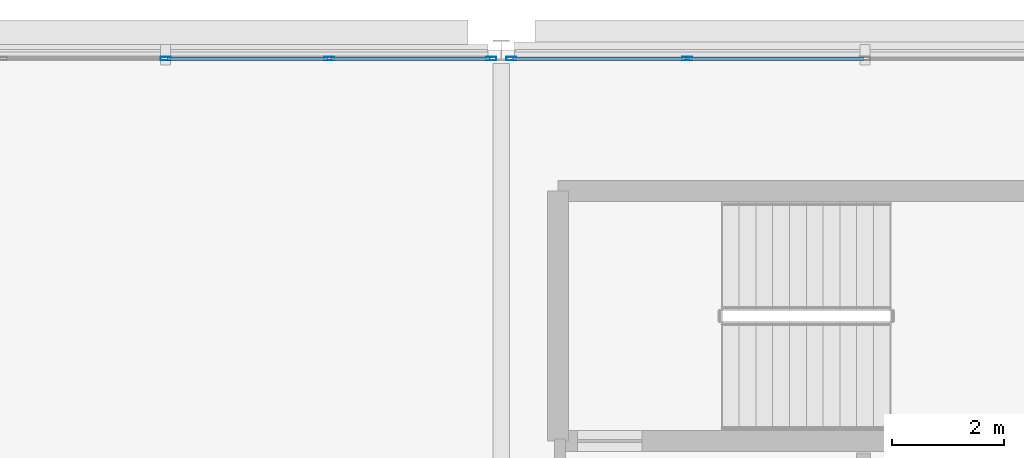
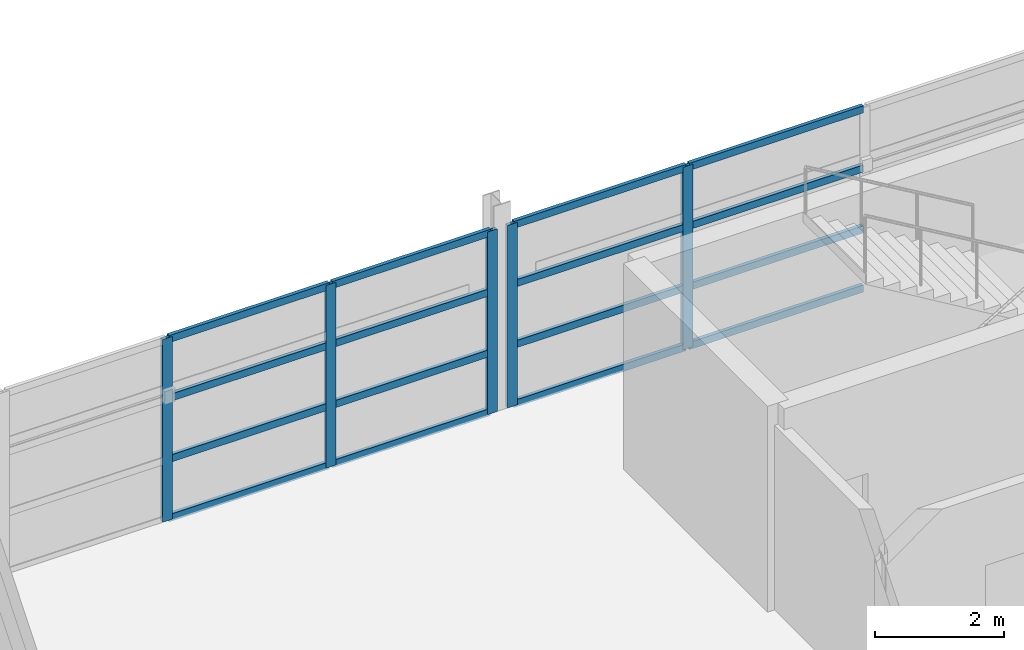
# One storey, part 19 of 33: 21 members, 2 elements without a shape of their own.
"""IFC4 building model written with IfcOpenShell, lengths in metres."""

from ifc_helpers import new_model, si_unit, direction, frame, origin, origin_2d, place, context, subcontext, project, spatial, hollow_rectangle, extrude, material, layer, layer_set, material_profile, profile_set, type_object, element, aggregate, save


model = new_model("IFC4")

# Units and contexts
model_context = context("Model", 3, precision=1e-05, world=origin(), true_north=direction((0.0, 1.0)))
body_context = subcontext(model_context, "Body", "Model", "MODEL_VIEW")
ifc_project = project(units=[si_unit("LENGTHUNIT", "METRE"), si_unit("AREAUNIT", "SQUARE_METRE"), si_unit("VOLUMEUNIT", "CUBIC_METRE"), si_unit("PLANEANGLEUNIT", "RADIAN"), si_unit("MASSUNIT", "GRAM", prefix="KILO")], contexts=[model_context])

# Site, building, storey
site_placement = place(None, origin())
site = spatial("IfcSite", under=ifc_project, at=site_placement, CompositionType="ELEMENT")
building_placement = place(site_placement, origin())
building = spatial("IfcBuilding", under=site, at=building_placement, Name="Tamarisk Ironworks Central Station", CompositionType="ELEMENT")
storey_placement = place(building_placement, frame((0.0, 0.0, 21.300048828125)))
storey = spatial("IfcBuildingStorey", under=building, at=storey_placement, Name="L04", CompositionType="ELEMENT", Elevation=21.300048828125)

# Curtain wall, members
ifc_material = material(Name="Anodized aluminium alloy 6063-T6", Category="aluminium")
ifc_layer = layer(ifc_material, 0.179931640625)
ifc_layer_set = layer_set([ifc_layer], Name="Anodized aluminium alloy 6063-T6")
curtain_wall_type = type_object("IfcCurtainWallType", Name="CW-19", PredefinedType="USERDEFINED", material=ifc_layer_set)
curtain_wall_1_placement = place(storey_placement, origin())
curtain_wall_1 = element("IfcCurtainWall", 1, at=curtain_wall_1_placement, inside=storey, type_object=curtain_wall_type, Name="Operations L04 north facade curtain wall 128", ObjectType="GLAZED CURTAIN WALL", PredefinedType="USERDEFINED")
ifc_material_profile_1 = material_profile(ifc_material, hollow_rectangle(XDim=0.06494140625, YDim=0.179931640625, WallThickness=0.00390625, at=origin_2d()), Name="ALUM 180x65")
ifc_profile_set_1 = profile_set([ifc_material_profile_1], Name="Anodized aluminium alloy 6063-T6")
member_type_1 = type_object("IfcMemberType", Name="CWM-02", PredefinedType="MULLION", material=ifc_profile_set_1)
member_1_placement = place(storey_placement, frame((134.0, 122.25, 0.0), z_axis=(0.0, 0.0, 1.0), x_axis=(0.0, 1.0, 0.0)))
member_1 = element("IfcMember", 2, at=member_1_placement, type_object=member_type_1, Name="CW19 mullion 3", PredefinedType="MULLION", context=body_context, shape_type="SweptSolid", body=[
    extrude(hollow_rectangle(XDim=0.06494140625, YDim=0.179931640625, WallThickness=0.00390625, at=origin_2d()), origin(), (0.0, 0.0, 1.0), 3.4599609375),
])
member_2_placement = place(storey_placement, frame((136.926025390625, 122.25, 0.0), z_axis=(0.0, 0.0, 1.0), x_axis=(0.0, 1.0, 0.0)))
member_2 = element("IfcMember", 3, at=member_2_placement, type_object=member_type_1, Name="CW19 mullion 4", PredefinedType="MULLION", context=body_context, shape_type="SweptSolid", body=[
    extrude(hollow_rectangle(XDim=0.06494140625, YDim=0.179931640625, WallThickness=0.00390625, at=origin_2d()), origin(), (0.0, 0.0, 1.0), 3.4599609375),
])
member_3_placement = place(storey_placement, frame((139.819580078125, 122.25, 0.0), z_axis=(0.0, 0.0, 1.0), x_axis=(0.0, 1.0, 0.0)))
member_3 = element("IfcMember", 4, at=member_3_placement, type_object=member_type_1, Name="CW19 mullion 5", PredefinedType="MULLION", context=body_context, shape_type="SweptSolid", body=[
    extrude(hollow_rectangle(XDim=0.06494140625, YDim=0.179931640625, WallThickness=0.00390625, at=origin_2d()), origin(), (0.0, 0.0, 1.0), 3.4599609375),
])

curtain_wall_2_placement = place(storey_placement, origin())
curtain_wall_2 = element("IfcCurtainWall", 5, at=curtain_wall_2_placement, inside=storey, type_object=curtain_wall_type, Name="Operations L04 north facade curtain wall 140", ObjectType="GLAZED CURTAIN WALL", PredefinedType="USERDEFINED")
member_4_placement = place(storey_placement, frame((140.180419921875, 122.25, 0.0), z_axis=(0.0, 0.0, 1.0), x_axis=(0.0, 1.0, 0.0)))
member_4 = element("IfcMember", 6, at=member_4_placement, type_object=member_type_1, Name="CW19 mullion 1", PredefinedType="MULLION", context=body_context, shape_type="SweptSolid", body=[
    extrude(hollow_rectangle(XDim=0.06494140625, YDim=0.179931640625, WallThickness=0.00390625, at=origin_2d()), origin(), (0.0, 0.0, 1.0), 3.4599609375),
])
member_5_placement = place(storey_placement, frame((143.323974609375, 122.25, 0.0), z_axis=(0.0, 0.0, 1.0), x_axis=(0.0, 1.0, 0.0)))
member_5 = element("IfcMember", 7, at=member_5_placement, type_object=member_type_1, Name="CW19 mullion 2", PredefinedType="MULLION", context=body_context, shape_type="SweptSolid", body=[
    extrude(hollow_rectangle(XDim=0.06494140625, YDim=0.179931640625, WallThickness=0.00390625, at=origin_2d()), origin(), (0.0, 0.0, 1.0), 3.4599609375),
])

# Member
ifc_material_profile_2 = material_profile(ifc_material, hollow_rectangle(XDim=0.06494140625, YDim=0.135009765625, WallThickness=0.00341796875, at=origin_2d()), Name="ALUM 135x65")
ifc_profile_set_2 = profile_set([ifc_material_profile_2], Name="Anodized aluminium alloy 6063-T6")
member_type_2 = type_object("IfcMemberType", Name="CWT-02", PredefinedType="USERDEFINED", material=ifc_profile_set_2)
member_6_placement = place(storey_placement, frame((134.028564453125, 122.25, 0.032470703125), z_axis=(1.0, 0.0, 0.0), x_axis=(0.0, 1.0, 0.0)))
member_6 = element("IfcMember", 8, at=member_6_placement, type_object=member_type_2, Name="CW19 transom 3.1", ObjectType="TRANSOM", PredefinedType="USERDEFINED", context=body_context, shape_type="SweptSolid", body=[
    extrude(hollow_rectangle(XDim=0.06494140625, YDim=0.135009765625, WallThickness=0.00341796875, at=origin_2d()), origin(), (0.0, 0.0, 1.0), 2.868896484375),
])

member_7_placement = place(storey_placement, frame((134.028564453125, 122.25, 1.1533203125), z_axis=(1.0, 0.0, 0.0), x_axis=(0.0, 1.0, 0.0)))
member_7 = element("IfcMember", 9, at=member_7_placement, type_object=member_type_2, Name="CW19 transom 3.2", ObjectType="TRANSOM", PredefinedType="USERDEFINED", context=body_context, shape_type="SweptSolid", body=[
    extrude(hollow_rectangle(XDim=0.06494140625, YDim=0.135009765625, WallThickness=0.00341796875, at=origin_2d()), origin(), (0.0, 0.0, 1.0), 2.868896484375),
])

member_8_placement = place(storey_placement, frame((134.028564453125, 122.25, 2.306640625), z_axis=(1.0, 0.0, 0.0), x_axis=(0.0, 1.0, 0.0)))
member_8 = element("IfcMember", 10, at=member_8_placement, type_object=member_type_2, Name="CW19 transom 3.3", ObjectType="TRANSOM", PredefinedType="USERDEFINED", context=body_context, shape_type="SweptSolid", body=[
    extrude(hollow_rectangle(XDim=0.06494140625, YDim=0.135009765625, WallThickness=0.00341796875, at=origin_2d()), origin(), (0.0, 0.0, 1.0), 2.868896484375),
])

member_9_placement = place(storey_placement, frame((134.028564453125, 122.25, 3.427490234375), z_axis=(1.0, 0.0, 0.0), x_axis=(0.0, 1.0, 0.0)))
member_9 = element("IfcMember", 11, at=member_9_placement, type_object=member_type_2, Name="CW19 transom 3.4", ObjectType="TRANSOM", PredefinedType="USERDEFINED", context=body_context, shape_type="SweptSolid", body=[
    extrude(hollow_rectangle(XDim=0.06494140625, YDim=0.135009765625, WallThickness=0.00341796875, at=origin_2d()), origin(), (0.0, 0.0, 1.0), 2.868896484375),
])

member_10_placement = place(storey_placement, frame((136.95458984375, 122.25, 0.032470703125), z_axis=(1.0, 0.0, 0.0), x_axis=(0.0, 1.0, 0.0)))
member_10 = element("IfcMember", 12, at=member_10_placement, type_object=member_type_2, Name="CW19 transom 4.1", ObjectType="TRANSOM", PredefinedType="USERDEFINED", context=body_context, shape_type="SweptSolid", body=[
    extrude(hollow_rectangle(XDim=0.06494140625, YDim=0.135009765625, WallThickness=0.00341796875, at=origin_2d()), origin(), (0.0, 0.0, 1.0), 2.83642578125),
])

member_11_placement = place(storey_placement, frame((136.95458984375, 122.25, 1.1533203125), z_axis=(1.0, 0.0, 0.0), x_axis=(0.0, 1.0, 0.0)))
member_11 = element("IfcMember", 13, at=member_11_placement, type_object=member_type_2, Name="CW19 transom 4.2", ObjectType="TRANSOM", PredefinedType="USERDEFINED", context=body_context, shape_type="SweptSolid", body=[
    extrude(hollow_rectangle(XDim=0.06494140625, YDim=0.135009765625, WallThickness=0.00341796875, at=origin_2d()), origin(), (0.0, 0.0, 1.0), 2.83642578125),
])

member_12_placement = place(storey_placement, frame((136.95458984375, 122.25, 2.306640625), z_axis=(1.0, 0.0, 0.0), x_axis=(0.0, 1.0, 0.0)))
member_12 = element("IfcMember", 14, at=member_12_placement, type_object=member_type_2, Name="CW19 transom 4.3", ObjectType="TRANSOM", PredefinedType="USERDEFINED", context=body_context, shape_type="SweptSolid", body=[
    extrude(hollow_rectangle(XDim=0.06494140625, YDim=0.135009765625, WallThickness=0.00341796875, at=origin_2d()), origin(), (0.0, 0.0, 1.0), 2.83642578125),
])

member_13_placement = place(storey_placement, frame((136.95458984375, 122.25, 3.427490234375), z_axis=(1.0, 0.0, 0.0), x_axis=(0.0, 1.0, 0.0)))
member_13 = element("IfcMember", 15, at=member_13_placement, type_object=member_type_2, Name="CW19 transom 4.4", ObjectType="TRANSOM", PredefinedType="USERDEFINED", context=body_context, shape_type="SweptSolid", body=[
    extrude(hollow_rectangle(XDim=0.06494140625, YDim=0.135009765625, WallThickness=0.00341796875, at=origin_2d()), origin(), (0.0, 0.0, 1.0), 2.83642578125),
])

aggregate(curtain_wall_1, [member_1, member_2, member_3, member_6, member_7, member_8, member_9, member_10, member_11, member_12, member_13])

member_14_placement = place(storey_placement, frame((140.208984375, 122.25, 0.032470703125), z_axis=(1.0, 0.0, 0.0), x_axis=(0.0, 1.0, 0.0)))
member_14 = element("IfcMember", 16, at=member_14_placement, type_object=member_type_2, Name="CW19 transom 1.1", ObjectType="TRANSOM", PredefinedType="USERDEFINED", context=body_context, shape_type="SweptSolid", body=[
    extrude(hollow_rectangle(XDim=0.06494140625, YDim=0.135009765625, WallThickness=0.00341796875, at=origin_2d()), origin(), (0.0, 0.0, 1.0), 3.08642578125),
])

member_15_placement = place(storey_placement, frame((140.208984375, 122.25, 1.1533203125), z_axis=(1.0, 0.0, 0.0), x_axis=(0.0, 1.0, 0.0)))
member_15 = element("IfcMember", 17, at=member_15_placement, type_object=member_type_2, Name="CW19 transom 1.2", ObjectType="TRANSOM", PredefinedType="USERDEFINED", context=body_context, shape_type="SweptSolid", body=[
    extrude(hollow_rectangle(XDim=0.06494140625, YDim=0.135009765625, WallThickness=0.00341796875, at=origin_2d()), origin(), (0.0, 0.0, 1.0), 3.08642578125),
])

member_16_placement = place(storey_placement, frame((140.208984375, 122.25, 2.306640625), z_axis=(1.0, 0.0, 0.0), x_axis=(0.0, 1.0, 0.0)))
member_16 = element("IfcMember", 18, at=member_16_placement, type_object=member_type_2, Name="CW19 transom 1.3", ObjectType="TRANSOM", PredefinedType="USERDEFINED", context=body_context, shape_type="SweptSolid", body=[
    extrude(hollow_rectangle(XDim=0.06494140625, YDim=0.135009765625, WallThickness=0.00341796875, at=origin_2d()), origin(), (0.0, 0.0, 1.0), 3.08642578125),
])

member_17_placement = place(storey_placement, frame((140.208984375, 122.25, 3.427490234375), z_axis=(1.0, 0.0, 0.0), x_axis=(0.0, 1.0, 0.0)))
member_17 = element("IfcMember", 19, at=member_17_placement, type_object=member_type_2, Name="CW19 transom 1.4", ObjectType="TRANSOM", PredefinedType="USERDEFINED", context=body_context, shape_type="SweptSolid", body=[
    extrude(hollow_rectangle(XDim=0.06494140625, YDim=0.135009765625, WallThickness=0.00341796875, at=origin_2d()), origin(), (0.0, 0.0, 1.0), 3.08642578125),
])

member_18_placement = place(storey_placement, frame((143.3525390625, 122.25, 0.032470703125), z_axis=(1.0, 0.0, 0.0), x_axis=(0.0, 1.0, 0.0)))
member_18 = element("IfcMember", 20, at=member_18_placement, type_object=member_type_2, Name="CW19 transom 2.1", ObjectType="TRANSOM", PredefinedType="USERDEFINED", context=body_context, shape_type="SweptSolid", body=[
    extrude(hollow_rectangle(XDim=0.06494140625, YDim=0.135009765625, WallThickness=0.00341796875, at=origin_2d()), origin(), (0.0, 0.0, 1.0), 3.118896484375),
])

member_19_placement = place(storey_placement, frame((143.3525390625, 122.25, 1.1533203125), z_axis=(1.0, 0.0, 0.0), x_axis=(0.0, 1.0, 0.0)))
member_19 = element("IfcMember", 21, at=member_19_placement, type_object=member_type_2, Name="CW19 transom 2.2", ObjectType="TRANSOM", PredefinedType="USERDEFINED", context=body_context, shape_type="SweptSolid", body=[
    extrude(hollow_rectangle(XDim=0.06494140625, YDim=0.135009765625, WallThickness=0.00341796875, at=origin_2d()), origin(), (0.0, 0.0, 1.0), 3.118896484375),
])

member_20_placement = place(storey_placement, frame((143.3525390625, 122.25, 2.306640625), z_axis=(1.0, 0.0, 0.0), x_axis=(0.0, 1.0, 0.0)))
member_20 = element("IfcMember", 22, at=member_20_placement, type_object=member_type_2, Name="CW19 transom 2.3", ObjectType="TRANSOM", PredefinedType="USERDEFINED", context=body_context, shape_type="SweptSolid", body=[
    extrude(hollow_rectangle(XDim=0.06494140625, YDim=0.135009765625, WallThickness=0.00341796875, at=origin_2d()), origin(), (0.0, 0.0, 1.0), 3.118896484375),
])

member_21_placement = place(storey_placement, frame((143.3525390625, 122.25, 3.427490234375), z_axis=(1.0, 0.0, 0.0), x_axis=(0.0, 1.0, 0.0)))
member_21 = element("IfcMember", 23, at=member_21_placement, type_object=member_type_2, Name="CW19 transom 2.4", ObjectType="TRANSOM", PredefinedType="USERDEFINED", context=body_context, shape_type="SweptSolid", body=[
    extrude(hollow_rectangle(XDim=0.06494140625, YDim=0.135009765625, WallThickness=0.00341796875, at=origin_2d()), origin(), (0.0, 0.0, 1.0), 3.118896484375),
])

aggregate(curtain_wall_2, [member_4, member_5, member_14, member_15, member_16, member_17, member_18, member_19, member_20, member_21])

save(model, "model.ifc")
